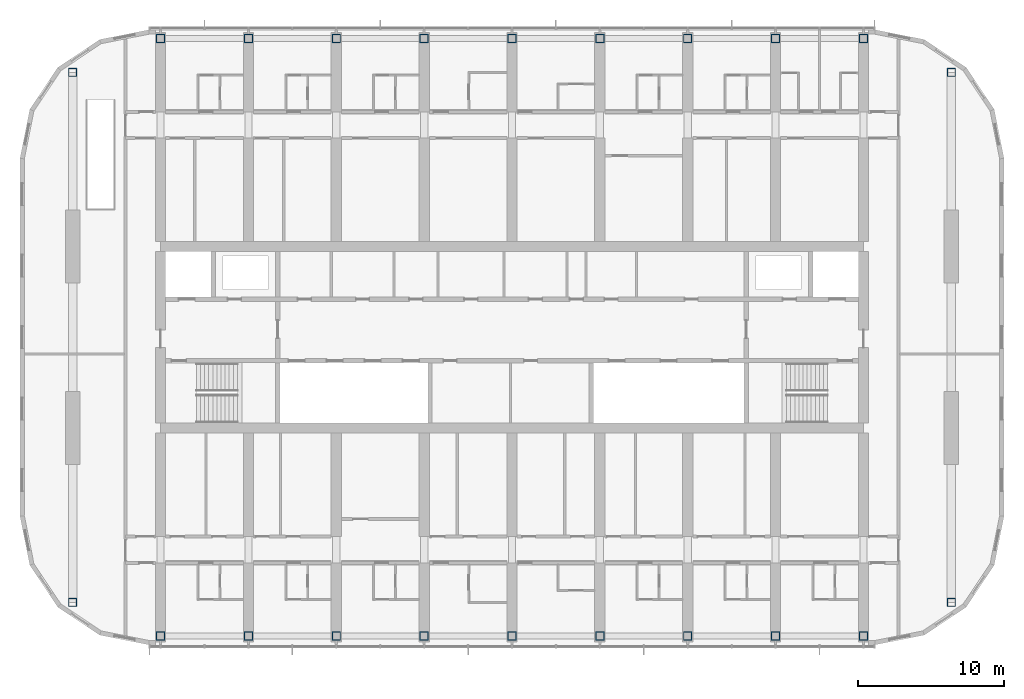
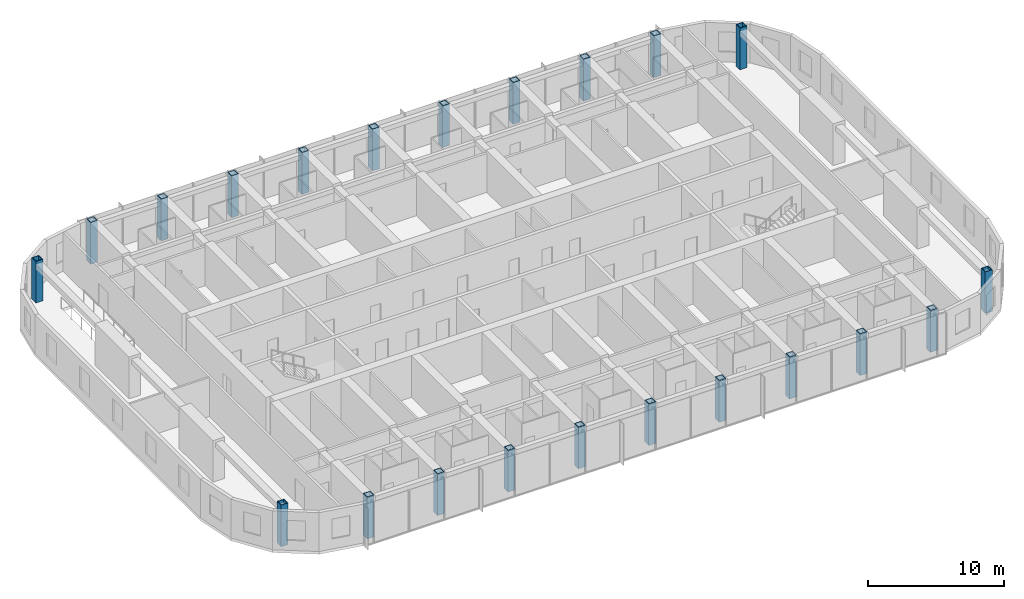
# One storey, part 1 of 23: 22 columns.
"""IFC4 building model written with IfcOpenShell, lengths in metres."""

from ifc_helpers import new_model, si_unit, direction, frame, origin, origin_2d, place, context, subcontext, project, spatial, hollow_rectangle, extrude, material, material_profile, profile_set, type_object, element, save


model = new_model("IFC4")

# Units and contexts
model_context = context("Model", 3, precision=1e-05, world=origin(), true_north=direction((0.0, 1.0)))
body_context = subcontext(model_context, "Body", "Model", "MODEL_VIEW")
ifc_project = project(units=[si_unit("LENGTHUNIT", "METRE"), si_unit("AREAUNIT", "SQUARE_METRE"), si_unit("VOLUMEUNIT", "CUBIC_METRE"), si_unit("PLANEANGLEUNIT", "RADIAN"), si_unit("MASSUNIT", "GRAM", prefix="KILO")], contexts=[model_context])

# Site, building, storey
site_placement = place(None, origin())
site = spatial("IfcSite", under=ifc_project, at=site_placement, CompositionType="ELEMENT")
building_placement = place(site_placement, origin())
building = spatial("IfcBuilding", under=site, at=building_placement, Name="Orbita Commons", CompositionType="ELEMENT")
storey_placement = place(building_placement, frame((0.0, 0.0, 250.300048828125)))
storey = spatial("IfcBuildingStorey", under=building, at=storey_placement, Name="L62", CompositionType="ELEMENT", Elevation=250.300048828125)

# Columns
ifc_material = material(Name="Steel ASTM A572 Gr 50 welded plate", Category="steel")
ifc_material_profile = material_profile(ifc_material, hollow_rectangle(XDim=0.60009765625, YDim=0.60009765625, WallThickness=0.06005859375, at=origin_2d()), Name="BOX 600x600x60")
ifc_profile_set = profile_set([ifc_material_profile], Name="Steel ASTM A572 Gr 50 welded plate")
column_type = type_object("IfcColumnType", Name="Steel column BOX 600x600x60", PredefinedType="COLUMN", material=ifc_profile_set)
for number, where, z_axis, x_axis, name in (
    (1, (18.0, 11.60009765625, 0.0), (0.0, 0.0, 1.0), (1.0, 0.0, 0.0), "Column 4/B L62"),
    (2, (18.0, 52.39990234375, 0.0), (0.0, 0.0, 1.0), (1.0, 0.0, 0.0), "Column 4/E L62"),
    (3, (24.0, 11.60009765625, 0.0), (0.0, 0.0, 1.0), (1.0, 0.0, 0.0), "Column 5/B L62"),
    (4, (24.0, 52.39990234375, 0.0), (0.0, 0.0, 1.0), (1.0, 0.0, 0.0), "Column 5/E L62"),
    (5, (30.0, 11.60009765625, 0.0), (0.0, 0.0, 1.0), (1.0, 0.0, 0.0), "Column 6/B L62"),
    (6, (30.0, 52.39990234375, 0.0), (0.0, 0.0, 1.0), (1.0, 0.0, 0.0), "Column 6/E L62"),
    (7, (36.0, 11.60009765625, 0.0), (0.0, 0.0, 1.0), (1.0, 0.0, 0.0), "Column 7/B L62"),
    (8, (36.0, 52.39990234375, 0.0), (0.0, 0.0, 1.0), (1.0, 0.0, 0.0), "Column 7/E L62"),
    (9, (42.0, 11.60009765625, 0.0), (0.0, 0.0, 1.0), (1.0, 0.0, 0.0), "Column 8/B L62"),
    (10, (42.0, 52.39990234375, 0.0), (0.0, 0.0, 1.0), (1.0, 0.0, 0.0), "Column 8/E L62"),
    (11, (48.0, 11.60009765625, 0.0), (0.0, 0.0, 1.0), (1.0, 0.0, 0.0), "Column 9/B L62"),
    (12, (48.0, 52.39990234375, 0.0), (0.0, 0.0, 1.0), (1.0, 0.0, 0.0), "Column 9/E L62"),
    (13, (54.0, 11.60009765625, 0.0), (0.0, 0.0, 1.0), (1.0, 0.0, 0.0), "Column 10/B L62"),
    (14, (54.0, 52.39990234375, 0.0), (0.0, 0.0, 1.0), (1.0, 0.0, 0.0), "Column 10/E L62"),
    (15, (60.0, 11.60009765625, 0.0), (0.0, 0.0, 1.0), (1.0, 0.0, 0.0), "Column 11/B L62"),
    (16, (60.0, 52.39990234375, 0.0), (0.0, 0.0, 1.0), (1.0, 0.0, 0.0), "Column 11/E L62"),
    (17, (66.0, 11.60009765625, 0.0), (0.0, 0.0, 1.0), (1.0, 0.0, 0.0), "Column 12/B L62"),
    (18, (66.0, 52.39990234375, 0.0), (0.0, 0.0, 1.0), (1.0, 0.0, 0.0), "Column 12/E L62"),
    (19, (12.0, 13.89990234375, 0.0), (0.0, 0.0, 1.0), (1.0, 0.0, 0.0), "Column 3/13.9 L62"),
    (20, (12.0, 50.10009765625, 0.0), (0.0, 0.0, 1.0), (1.0, 0.0, 0.0), "Column 3/50.1 L62"),
    (21, (72.0, 13.89990234375, 0.0), (0.0, 0.0, 1.0), (1.0, 0.0, 0.0), "Column 13/13.9 L62"),
    (22, (72.0, 50.10009765625, 0.0), (0.0, 0.0, 1.0), (1.0, 0.0, 0.0), "Column 13/50.1 L62"),
):
    element("IfcColumn", number, at=place(storey_placement, frame(where, z_axis=z_axis, x_axis=x_axis)), inside=storey, type_object=column_type, Name=name, PredefinedType="COLUMN", context=body_context, shape_type="SweptSolid", body=[
        extrude(hollow_rectangle(XDim=0.60009765625, YDim=0.60009765625, WallThickness=0.06005859375, at=origin_2d()), origin(), (0.0, 0.0, 1.0), 3.75),
    ])

save(model, "model.ifc")
